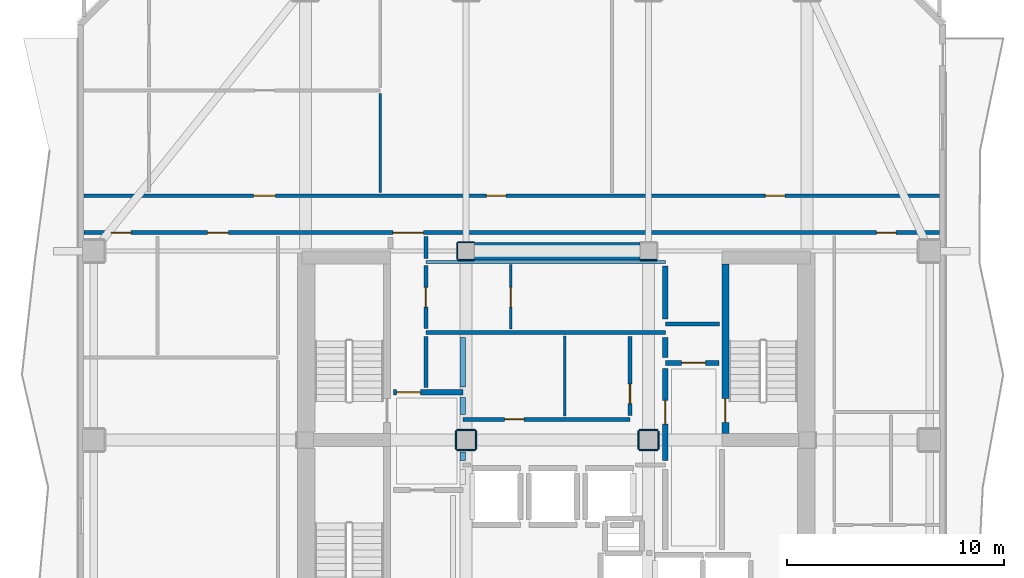
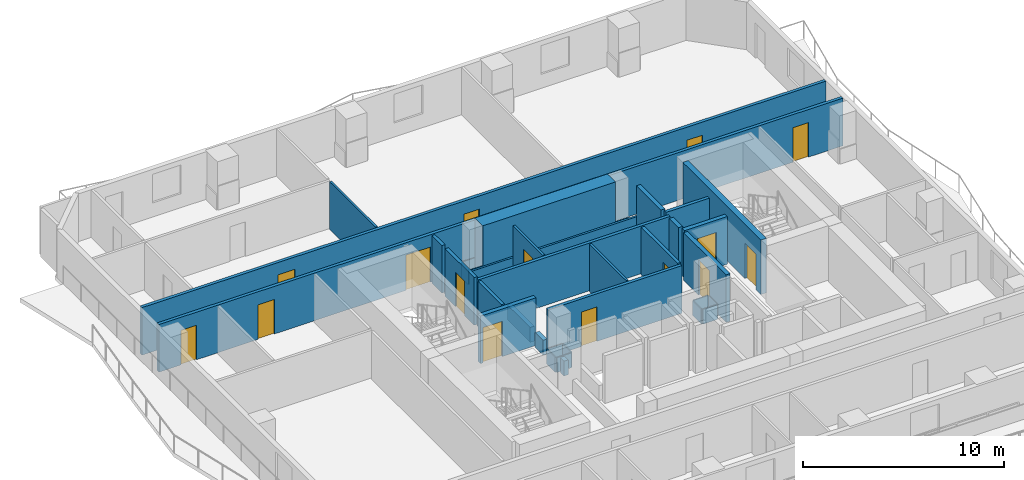
# One storey, part 4 of 10: 35 walls, 15 doors, 15 openings.
"""IFC4 building model written with IfcOpenShell, lengths in metres."""

from ifc_helpers import new_model, si_unit, direction, frame, frame_2d, origin, place, context, subcontext, project, spatial, rectangle, extrude, material, layer, layer_set, type_object, element, fill, save


model = new_model("IFC4")

# Units and contexts
model_context = context("Model", 3, precision=1e-05, world=origin(), true_north=direction((0.0, 1.0)))
body_context = subcontext(model_context, "Body", "Model", "MODEL_VIEW")
ifc_project = project(units=[si_unit("LENGTHUNIT", "METRE"), si_unit("AREAUNIT", "SQUARE_METRE"), si_unit("VOLUMEUNIT", "CUBIC_METRE"), si_unit("PLANEANGLEUNIT", "RADIAN"), si_unit("MASSUNIT", "GRAM", prefix="KILO")], contexts=[model_context])

# Site, building, storey
site_placement = place(None, origin())
site = spatial("IfcSite", under=ifc_project, at=site_placement, CompositionType="ELEMENT")
building_placement = place(site_placement, origin())
building = spatial("IfcBuilding", under=site, at=building_placement, Name="Solanera Arch Residences", CompositionType="ELEMENT")
storey_placement = place(building_placement, frame((0.0, 0.0, 186.840087890625)))
storey = spatial("IfcBuildingStorey", under=building, at=storey_placement, Name="L54", CompositionType="ELEMENT", Elevation=186.840087890625)

# Walls
ifc_material_1 = material(Name="Fire-Rated Gypsum Stud Partition", Category="gypsum")
ifc_layer_1 = layer(ifc_material_1, 0.06005859375)
ifc_layer_set_1 = layer_set([ifc_layer_1], Name="Fire-Rated Gypsum Stud Partition")
wall_type_1 = type_object("IfcWallType", Name="Column Acoustic Furring Wall 60", PredefinedType="PARTITIONING", material=ifc_layer_set_1)
for number, where, z_axis, x_axis, name in (
    (1, (20.425048828125, 38.992919921875, 0.0), (0.0, 0.0, 1.0), (1.0, 0.0, 0.0), "L54 Column Furring 3S"),
    (2, (20.425048828125, 39.806884765625, 0.0), (0.0, 0.0, 1.0), (1.0, 0.0, 0.0), "L54 Column Furring 3N"),
):
    element("IfcWall", number, at=place(storey_placement, frame(where, z_axis=z_axis, x_axis=x_axis)), inside=storey, type_object=wall_type_1, Name=name, PredefinedType="PARTITIONING", context=body_context, shape_type="SweptSolid", body=[
        extrude(rectangle(XDim=0.741943359375, YDim=0.06005859375, at=frame_2d((0.37109375, 0.0))), origin(), (0.0, 0.0, 1.0), 0.905029296875),
    ])
wall_1_placement = place(storey_placement, frame((20.39306640625, 39.02490234375, 0.0), z_axis=(0.0, 0.0, 1.0), x_axis=(0.0, 1.0, 0.0)))
element("IfcWall", 3, at=wall_1_placement, inside=storey, type_object=wall_type_1, Name="L54 Column Furring 3W", PredefinedType="PARTITIONING", context=body_context, shape_type="SweptSolid", body=[
    extrude(rectangle(XDim=0.75, YDim=0.06005859375, at=frame_2d((0.375, 0.0))), origin(), (0.0, 0.0, 1.0), 0.905029296875),
])
wall_2_placement = place(storey_placement, frame((28.8330078125, 38.992919921875, 0.0), z_axis=(0.0, 0.0, 1.0), x_axis=(1.0, 0.0, 0.0)))
element("IfcWall", 4, at=wall_2_placement, inside=storey, type_object=wall_type_1, Name="L54 Column Furring 4S", PredefinedType="PARTITIONING", context=body_context, shape_type="SweptSolid", body=[
    extrude(rectangle(XDim=0.741943359375, YDim=0.06005859375, at=frame_2d((0.37109375, 0.0))), origin(), (0.0, 0.0, 1.0), 0.905029296875),
])
for number, where, z_axis, x_axis, name in (
    (5, (20.375, 30.242919921875, 0.0), (0.0, 0.0, 1.0), (1.0, 0.0, 0.0), "L54 Column Furring 7S"),
    (6, (20.375, 31.156982421875, 0.0), (0.0, 0.0, 1.0), (1.0, 0.0, 0.0), "L54 Column Furring 7N"),
    (7, (20.343017578125, 30.27490234375, 0.0), (0.0, 0.0, 1.0), (0.0, 1.0, 0.0), "L54 Column Furring 7W"),
    (8, (21.257080078125, 30.27490234375, 0.0), (0.0, 0.0, 1.0), (0.0, 1.0, 0.0), "L54 Column Furring 7E"),
    (9, (28.77490234375, 30.242919921875, 0.0), (0.0, 0.0, 1.0), (1.0, 0.0, 0.0), "L54 Column Furring 8S"),
):
    element("IfcWall", number, at=place(storey_placement, frame(where, z_axis=z_axis, x_axis=x_axis)), inside=storey, type_object=wall_type_1, Name=name, PredefinedType="PARTITIONING", context=body_context, shape_type="SweptSolid", body=[
        extrude(rectangle(XDim=0.85009765625, YDim=0.06005859375, at=frame_2d((0.425048828125, 0.0))), origin(), (0.0, 0.0, 1.0), 0.905029296875),
    ])
wall_3_placement = place(storey_placement, frame((28.77490234375, 31.156982421875, 0.0), z_axis=(0.0, 0.0, 1.0), x_axis=(1.0, 0.0, 0.0)))
element("IfcWall", 10, at=wall_3_placement, inside=storey, type_object=wall_type_1, Name="L54 Column Furring 8N", PredefinedType="PARTITIONING", context=body_context, shape_type="SweptSolid", body=[
    extrude(rectangle(XDim=0.843017578125, YDim=0.06005859375, at=frame_2d((0.42138671875, 0.0))), origin(), (0.0, 0.0, 1.0), 0.905029296875),
])
wall_4_placement = place(storey_placement, frame((28.742919921875, 30.27490234375, 0.0), z_axis=(0.0, 0.0, 1.0), x_axis=(0.0, 1.0, 0.0)))
element("IfcWall", 11, at=wall_4_placement, inside=storey, type_object=wall_type_1, Name="L54 Column Furring 8W", PredefinedType="PARTITIONING", context=body_context, shape_type="SweptSolid", body=[
    extrude(rectangle(XDim=0.85009765625, YDim=0.06005859375, at=frame_2d((0.425048828125, 0.0))), origin(), (0.0, 0.0, 1.0), 0.905029296875),
])
wall_5_placement = place(storey_placement, frame((29.656982421875, 30.27490234375, 0.0), z_axis=(0.0, 0.0, 1.0), x_axis=(0.0, 1.0, 0.0)))
element("IfcWall", 12, at=wall_5_placement, inside=storey, type_object=wall_type_1, Name="L54 Column Furring 8E", PredefinedType="PARTITIONING", context=body_context, shape_type="SweptSolid", body=[
    extrude(rectangle(XDim=0.837158203125, YDim=0.06005859375, at=frame_2d((0.41845703125, 0.0))), origin(), (0.0, 0.0, 1.0), 0.905029296875),
])

# Wall, opening, door
ifc_material_2 = material(Name="Concrete C40/50 (f'c = 45 MPa)", Category="concrete")
ifc_layer_2 = layer(ifc_material_2, 0.320068359375)
ifc_layer_set_2 = layer_set([ifc_layer_2], Name="Concrete C40/50 (f'c = 45 MPa)")
wall_type_2 = type_object("IfcWallType", Name="Core Shear Wall CW-320", PredefinedType="SHEAR", material=ifc_layer_set_2)
wall_6_placement = place(storey_placement, frame((32.739990234375, 31.0, 0.0), z_axis=(0.0, 0.0, 1.0), x_axis=(0.0, 1.0, 0.0)))
wall_6 = element("IfcWall", 13, at=wall_6_placement, inside=storey, type_object=wall_type_2, Name="L54 Stair ST-T2 West Shear Wall", PredefinedType="SHEAR", context=body_context, shape_type="SweptSolid", body=[
    extrude(rectangle(XDim=7.800048828125, YDim=0.320068359375, at=frame_2d((3.89990234375, 0.0))), origin(), (0.0, 0.0, 1.0), 3.31982421875),
])
opening_1_placement = place(wall_6_placement, frame((0.510009765625, 0.0, 0.0)))
opening_1 = element("IfcOpeningElement", 14, at=opening_1_placement, cuts=wall_6, Name="Opening DF-01", PredefinedType="OPENING", context=body_context, shape_type="SweptSolid", body=[
    extrude(rectangle(XDim=1.10009765625, YDim=2.14990234375, at=frame_2d((0.550048828125, 1.074951171875))), frame((0.0, 0.169921875, 0.0), z_axis=(0.0, -1.0, 0.0), x_axis=(1.0, 0.0, 0.0)), (0.0, 0.0, 1.0), 0.3401),
])
ifc_material_3 = material(Name="Fire-Rated Architectural Hardwood", Category="wood")
door_type_1 = type_object("IfcDoorType", Name="Stair Exit Fire Door DF-01", OperationType="NOTDEFINED", PredefinedType="DOOR", material=ifc_material_3)
door_1_placement = place(opening_1_placement, origin())
door_1 = element("IfcDoor", 15, at=door_1_placement, inside=storey, type_object=door_type_1, Name="DR-L54-STAIR-ST-T2", OperationType="SINGLE_SWING_RIGHT", OverallHeight=2.14990234375, OverallWidth=1.10009765625, PredefinedType="DOOR", context=body_context, shape_type="SweptSolid", body=[
    extrude(rectangle(XDim=1.10009765625, YDim=2.14990234375, at=frame_2d((0.550048828125, 1.074951171875))), frame((0.0, 0.02490234375, 0.0), z_axis=(0.0, -1.0, 0.0), x_axis=(1.0, 0.0, 0.0)), (0.0, 0.0, 1.0), 0.050048828125),
])
fill(opening_1, door_1)

# Wall
ifc_material_4 = material(Name="Concrete C40/50 (f'c = 45 MPa)", Category="concrete")
ifc_layer_3 = layer(ifc_material_4, 0.800048828125)
ifc_layer_set_3 = layer_set([ifc_layer_3], Name="Concrete C40/50 (f'c = 45 MPa)")
wall_type_3 = type_object("IfcWallType", Name="Core Shear Wall CW-800", PredefinedType="SHEAR", material=ifc_layer_set_3)
wall_7_placement = place(storey_placement, frame((21.179931640625, 39.39990234375, 0.0), z_axis=(0.0, 0.0, 1.0), x_axis=(1.0, 0.0, 0.0)))
element("IfcWall", 16, at=wall_7_placement, inside=storey, type_object=wall_type_3, Name="L54 Central North Core Shear Wall", PredefinedType="SHEAR", context=body_context, shape_type="SweptSolid", body=[
    extrude(rectangle(XDim=7.64013671875, YDim=0.800048828125, at=frame_2d((3.820068359375, 0.0))), origin(), (0.0, 0.0, 1.0), 3.31982421875),
])

# Wall, opening, door
ifc_material_5 = material(Name="Autoclaved Aerated Concrete Blockwork", Category="masonry")
ifc_layer_4 = layer(ifc_material_5, 0.179931640625)
ifc_layer_set_4 = layer_set([ifc_layer_4], Name="Autoclaved Aerated Concrete Blockwork")
wall_type_4 = type_object("IfcWallType", Name="Corridor Fire Partition 180", PredefinedType="PARTITIONING", material=ifc_layer_set_4)
wall_8_placement = place(storey_placement, frame((20.64990234375, 31.64990234375, 0.0), z_axis=(0.0, 0.0, 1.0), x_axis=(1.0, 0.0, 0.0)))
wall_8 = element("IfcWall", 17, at=wall_8_placement, inside=storey, type_object=wall_type_4, Name="L54 Interior Partition H8", PredefinedType="PARTITIONING", context=body_context, shape_type="SweptSolid", body=[
    extrude(rectangle(XDim=7.7001953125, YDim=0.179931640625, at=frame_2d((3.85009765625, 0.0))), origin(), (0.0, 0.0, 1.0), 2.89990234375),
])
opening_2_placement = place(wall_8_placement, frame((1.924072265625, 0.0, 0.0)))
opening_2 = element("IfcOpeningElement", 18, at=opening_2_placement, cuts=wall_8, Name="Opening DI-02", PredefinedType="OPENING", context=body_context, shape_type="SweptSolid", body=[
    extrude(rectangle(XDim=0.89990234375, YDim=2.10009765625, at=frame_2d((0.449951171875, 1.050048828125))), frame((0.0, 0.10009765625, 0.0), z_axis=(0.0, -1.0, 0.0), x_axis=(1.0, 0.0, 0.0)), (0.0, 0.0, 1.0), 0.1999),
])
ifc_material_6 = material(Name="Fire-Rated Architectural Hardwood", Category="wood")
door_type_2 = type_object("IfcDoorType", Name="Suite Room Swing Door DI-02", OperationType="NOTDEFINED", PredefinedType="DOOR", material=ifc_material_6)
door_2_placement = place(opening_2_placement, origin())
door_2 = element("IfcDoor", 19, at=door_2_placement, inside=storey, type_object=door_type_2, Name="DR-L54-IN-012", OperationType="SINGLE_SWING_RIGHT", OverallHeight=2.10009765625, OverallWidth=0.89990234375, PredefinedType="DOOR", context=body_context, shape_type="SweptSolid", body=[
    extrude(rectangle(XDim=0.89990234375, YDim=2.10009765625, at=frame_2d((0.449951171875, 1.050048828125))), frame((0.0, 0.02490234375, 0.0), z_axis=(0.0, -1.0, 0.0), x_axis=(1.0, 0.0, 0.0)), (0.0, 0.0, 1.0), 0.050048828125),
])
fill(opening_2, door_2)

# Walls
wall_9_placement = place(storey_placement, frame((18.949951171875, 35.64990234375, 0.0), z_axis=(0.0, 0.0, 1.0), x_axis=(1.0, 0.0, 0.0)))
element("IfcWall", 20, at=wall_9_placement, inside=storey, type_object=wall_type_4, Name="L54 Interior Partition H9", PredefinedType="PARTITIONING", context=body_context, shape_type="SweptSolid", body=[
    extrude(rectangle(XDim=11.025146484375, YDim=0.179931640625, at=frame_2d((5.5126953125, 0.0))), origin(), (0.0, 0.0, 1.0), 2.89990234375),
])
wall_10_placement = place(storey_placement, frame((29.97509765625, 36.050048828125, 0.0), z_axis=(0.0, 0.0, 1.0), x_axis=(1.0, 0.0, 0.0)))
element("IfcWall", 21, at=wall_10_placement, inside=storey, type_object=wall_type_4, Name="L54 Interior Partition H10", PredefinedType="PARTITIONING", context=body_context, shape_type="SweptSolid", body=[
    extrude(rectangle(XDim=2.5048828125, YDim=0.179931640625, at=frame_2d((1.25244140625, 0.0))), origin(), (0.0, 0.0, 1.0), 2.89990234375),
])

# Wall, openings, doors
wall_11_placement = place(storey_placement, frame((3.20703125, 40.25, 0.0), z_axis=(0.0, 0.0, 1.0), x_axis=(1.0, 0.0, 0.0)))
wall_11 = element("IfcWall", 22, at=wall_11_placement, inside=storey, type_object=wall_type_4, Name="L54 Interior Partition H11", PredefinedType="PARTITIONING", context=body_context, shape_type="SweptSolid", body=[
    extrude(rectangle(XDim=39.385986328125, YDim=0.179931640625, at=frame_2d((19.69287109375, 0.0))), origin(), (0.0, 0.0, 1.0), 2.89990234375),
])
opening_3_placement = place(wall_11_placement, frame((14.22802734375, 0.0, 0.0)))
opening_3 = element("IfcOpeningElement", 23, at=opening_3_placement, cuts=wall_11, Name="Opening DF-03", PredefinedType="OPENING", context=body_context, shape_type="SweptSolid", body=[
    extrude(rectangle(XDim=1.39990234375, YDim=2.14990234375, at=frame_2d((0.699951171875, 1.074951171875))), frame((0.0, 0.10009765625, 0.0), z_axis=(0.0, -1.0, 0.0), x_axis=(1.0, 0.0, 0.0)), (0.0, 0.0, 1.0), 0.1999),
])
opening_4_placement = place(wall_11_placement, frame((1.26708984375, 0.0, 0.0)))
opening_4 = element("IfcOpeningElement", 24, at=opening_4_placement, cuts=wall_11, Name="Opening DI-02", PredefinedType="OPENING", context=body_context, shape_type="SweptSolid", body=[
    extrude(rectangle(XDim=0.89990234375, YDim=2.10009765625, at=frame_2d((0.449951171875, 1.050048828125))), frame((0.0, 0.10009765625, 0.0), z_axis=(0.0, -1.0, 0.0), x_axis=(1.0, 0.0, 0.0)), (0.0, 0.0, 1.0), 0.1999),
])
opening_5_placement = place(wall_11_placement, frame((5.694091796875, 0.0, 0.0)))
opening_5 = element("IfcOpeningElement", 25, at=opening_5_placement, cuts=wall_11, Name="Opening DI-04", PredefinedType="OPENING", context=body_context, shape_type="SweptSolid", body=[
    extrude(rectangle(XDim=0.949951171875, YDim=2.10009765625, at=frame_2d((0.47509765625, 1.050048828125))), frame((0.0, 0.10009765625, 0.0), z_axis=(0.0, -1.0, 0.0), x_axis=(1.0, 0.0, 0.0)), (0.0, 0.0, 1.0), 0.1999),
])
opening_6_placement = place(wall_11_placement, frame((36.493896484375, 0.0, 0.0)))
opening_6 = element("IfcOpeningElement", 26, at=opening_6_placement, cuts=wall_11, Name="Opening DI-02", PredefinedType="OPENING", context=body_context, shape_type="SweptSolid", body=[
    extrude(rectangle(XDim=0.89990234375, YDim=2.10009765625, at=frame_2d((0.449951171875, 1.050048828125))), frame((0.0, 0.10009765625, 0.0), z_axis=(0.0, -1.0, 0.0), x_axis=(1.0, 0.0, 0.0)), (0.0, 0.0, 1.0), 0.1999),
])
ifc_material_7 = material(Name="Fire-Rated Architectural Hardwood", Category="wood")
door_type_3 = type_object("IfcDoorType", Name="Accessible Restroom Door DI-04", OperationType="NOTDEFINED", PredefinedType="DOOR", material=ifc_material_7)
door_3_placement = place(opening_5_placement, origin())
door_3 = element("IfcDoor", 27, at=door_3_placement, inside=storey, type_object=door_type_3, Name="DR-L54-IN-029", OperationType="SINGLE_SWING_LEFT", OverallHeight=2.10009765625, OverallWidth=0.949951171875, PredefinedType="DOOR", context=body_context, shape_type="SweptSolid", body=[
    extrude(rectangle(XDim=0.949951171875, YDim=2.10009765625, at=frame_2d((0.47509765625, 1.050048828125))), frame((0.0, 0.02490234375, 0.0), z_axis=(0.0, -1.0, 0.0), x_axis=(1.0, 0.0, 0.0)), (0.0, 0.0, 1.0), 0.050048828125),
])
fill(opening_5, door_3)
ifc_material_8 = material(Name="Fire-Rated Architectural Hardwood", Category="wood")
door_type_4 = type_object("IfcDoorType", Name="Corridor Smoke Door DF-03", OperationType="NOTDEFINED", PredefinedType="DOOR", material=ifc_material_8)
door_4_placement = place(opening_3_placement, origin())
door_4 = element("IfcDoor", 28, at=door_4_placement, inside=storey, type_object=door_type_4, Name="DR-L54-IN-009", OperationType="SINGLE_SWING_LEFT", OverallHeight=2.14990234375, OverallWidth=1.39990234375, PredefinedType="DOOR", context=body_context, shape_type="SweptSolid", body=[
    extrude(rectangle(XDim=1.39990234375, YDim=2.14990234375, at=frame_2d((0.699951171875, 1.074951171875))), frame((0.0, 0.02490234375, 0.0), z_axis=(0.0, -1.0, 0.0), x_axis=(1.0, 0.0, 0.0)), (0.0, 0.0, 1.0), 0.050048828125),
])
fill(opening_3, door_4)
door_5_placement = place(opening_4_placement, origin())
door_5 = element("IfcDoor", 29, at=door_5_placement, inside=storey, type_object=door_type_2, Name="DR-L54-IN-028", OperationType="SINGLE_SWING_RIGHT", OverallHeight=2.10009765625, OverallWidth=0.89990234375, PredefinedType="DOOR", context=body_context, shape_type="SweptSolid", body=[
    extrude(rectangle(XDim=0.89990234375, YDim=2.10009765625, at=frame_2d((0.449951171875, 1.050048828125))), frame((0.0, 0.02490234375, 0.0), z_axis=(0.0, -1.0, 0.0), x_axis=(1.0, 0.0, 0.0)), (0.0, 0.0, 1.0), 0.050048828125),
])
fill(opening_4, door_5)
door_6_placement = place(opening_6_placement, origin())
door_6 = element("IfcDoor", 30, at=door_6_placement, inside=storey, type_object=door_type_2, Name="DR-L54-IN-033", OperationType="SINGLE_SWING_LEFT", OverallHeight=2.10009765625, OverallWidth=0.89990234375, PredefinedType="DOOR", context=body_context, shape_type="SweptSolid", body=[
    extrude(rectangle(XDim=0.89990234375, YDim=2.10009765625, at=frame_2d((0.449951171875, 1.050048828125))), frame((0.0, 0.02490234375, 0.0), z_axis=(0.0, -1.0, 0.0), x_axis=(1.0, 0.0, 0.0)), (0.0, 0.0, 1.0), 0.050048828125),
])
fill(opening_6, door_6)

wall_12_placement = place(storey_placement, frame((3.20703125, 41.949951171875, 0.0), z_axis=(0.0, 0.0, 1.0), x_axis=(1.0, 0.0, 0.0)))
wall_12 = element("IfcWall", 31, at=wall_12_placement, inside=storey, type_object=wall_type_4, Name="L54 Interior Partition H12", PredefinedType="PARTITIONING", context=body_context, shape_type="SweptSolid", body=[
    extrude(rectangle(XDim=39.385986328125, YDim=0.179931640625, at=frame_2d((19.69287109375, 0.0))), origin(), (0.0, 0.0, 1.0), 2.89990234375),
])
opening_7_placement = place(wall_12_placement, frame((7.81689453125, 0.0, 0.0)))
opening_7 = element("IfcOpeningElement", 32, at=opening_7_placement, cuts=wall_12, Name="Opening DI-01", PredefinedType="OPENING", context=body_context, shape_type="SweptSolid", body=[
    extrude(rectangle(XDim=1.0, YDim=2.14990234375, at=frame_2d((0.5, 1.074951171875))), frame((0.0, 0.10009765625, 0.0), z_axis=(0.0, -1.0, 0.0), x_axis=(1.0, 0.0, 0.0)), (0.0, 0.0, 1.0), 0.1999),
])
opening_8_placement = place(wall_12_placement, frame((18.527099609375, 0.0, 0.0)))
opening_8 = element("IfcOpeningElement", 33, at=opening_8_placement, cuts=wall_12, Name="Opening DI-02", PredefinedType="OPENING", context=body_context, shape_type="SweptSolid", body=[
    extrude(rectangle(XDim=0.89990234375, YDim=2.10009765625, at=frame_2d((0.449951171875, 1.050048828125))), frame((0.0, 0.10009765625, 0.0), z_axis=(0.0, -1.0, 0.0), x_axis=(1.0, 0.0, 0.0)), (0.0, 0.0, 1.0), 0.1999),
])
opening_9_placement = place(wall_12_placement, frame((31.37890625, 0.0, 0.0)))
opening_9 = element("IfcOpeningElement", 34, at=opening_9_placement, cuts=wall_12, Name="Opening DI-02", PredefinedType="OPENING", context=body_context, shape_type="SweptSolid", body=[
    extrude(rectangle(XDim=0.89990234375, YDim=2.10009765625, at=frame_2d((0.449951171875, 1.050048828125))), frame((0.0, 0.10009765625, 0.0), z_axis=(0.0, -1.0, 0.0), x_axis=(1.0, 0.0, 0.0)), (0.0, 0.0, 1.0), 0.1999),
])
door_7_placement = place(opening_8_placement, origin())
door_7 = element("IfcDoor", 35, at=door_7_placement, inside=storey, type_object=door_type_2, Name="DR-L54-IN-025", OperationType="SINGLE_SWING_LEFT", OverallHeight=2.10009765625, OverallWidth=0.89990234375, PredefinedType="DOOR", context=body_context, shape_type="SweptSolid", body=[
    extrude(rectangle(XDim=0.89990234375, YDim=2.10009765625, at=frame_2d((0.449951171875, 1.050048828125))), frame((0.0, 0.02490234375, 0.0), z_axis=(0.0, -1.0, 0.0), x_axis=(1.0, 0.0, 0.0)), (0.0, 0.0, 1.0), 0.050048828125),
])
fill(opening_8, door_7)
door_8_placement = place(opening_9_placement, origin())
door_8 = element("IfcDoor", 36, at=door_8_placement, inside=storey, type_object=door_type_2, Name="DR-L54-IN-026", OperationType="SINGLE_SWING_RIGHT", OverallHeight=2.10009765625, OverallWidth=0.89990234375, PredefinedType="DOOR", context=body_context, shape_type="SweptSolid", body=[
    extrude(rectangle(XDim=0.89990234375, YDim=2.10009765625, at=frame_2d((0.449951171875, 1.050048828125))), frame((0.0, 0.02490234375, 0.0), z_axis=(0.0, -1.0, 0.0), x_axis=(1.0, 0.0, 0.0)), (0.0, 0.0, 1.0), 0.050048828125),
])
fill(opening_9, door_8)
ifc_material_9 = material(Name="Fire-Rated Architectural Hardwood", Category="wood")
door_type_5 = type_object("IfcDoorType", Name="Unit Entrance Fire Door DI-01", OperationType="NOTDEFINED", PredefinedType="DOOR", material=ifc_material_9)
door_9_placement = place(opening_7_placement, origin())
door_9 = element("IfcDoor", 37, at=door_9_placement, inside=storey, type_object=door_type_5, Name="DR-L54-IN-021", OperationType="SINGLE_SWING_LEFT", OverallHeight=2.14990234375, OverallWidth=1.0, PredefinedType="DOOR", context=body_context, shape_type="SweptSolid", body=[
    extrude(rectangle(XDim=1.0, YDim=2.14990234375, at=frame_2d((0.5, 1.074951171875))), frame((0.0, 0.02490234375, 0.0), z_axis=(0.0, -1.0, 0.0), x_axis=(1.0, 0.0, 0.0)), (0.0, 0.0, 1.0), 0.050048828125),
])
fill(opening_7, door_9)

# Wall
wall_13_placement = place(storey_placement, frame((18.949951171875, 33.117919921875, 0.0), z_axis=(0.0, 0.0, 1.0), x_axis=(0.0, 1.0, 0.0)))
element("IfcWall", 38, at=wall_13_placement, inside=storey, type_object=wall_type_4, Name="L54 Interior Partition V7 1", PredefinedType="PARTITIONING", context=body_context, shape_type="SweptSolid", body=[
    extrude(rectangle(XDim=2.343994140625, YDim=0.179931640625, at=frame_2d((1.171875, 0.0))), origin(), (0.0, 0.0, 1.0), 2.89990234375),
])

# Wall, opening, door
wall_14_placement = place(storey_placement, frame((18.949951171875, 35.837890625, 0.0), z_axis=(0.0, 0.0, 1.0), x_axis=(0.0, 1.0, 0.0)))
wall_14 = element("IfcWall", 39, at=wall_14_placement, inside=storey, type_object=wall_type_4, Name="L54 Interior Partition V7 2", PredefinedType="PARTITIONING", context=body_context, shape_type="SweptSolid", body=[
    extrude(rectangle(XDim=2.904052734375, YDim=0.179931640625, at=frame_2d((1.4521484375, 0.0))), origin(), (0.0, 0.0, 1.0), 2.89990234375),
])
opening_10_placement = place(wall_14_placement, frame((0.987060546875, 0.0, 0.0)))
opening_10 = element("IfcOpeningElement", 40, at=opening_10_placement, cuts=wall_14, Name="Opening DI-02", PredefinedType="OPENING", context=body_context, shape_type="SweptSolid", body=[
    extrude(rectangle(XDim=0.89990234375, YDim=2.10009765625, at=frame_2d((0.449951171875, 1.050048828125))), frame((0.0, 0.10009765625, 0.0), z_axis=(0.0, -1.0, 0.0), x_axis=(1.0, 0.0, 0.0)), (0.0, 0.0, 1.0), 0.1999),
])
door_10_placement = place(opening_10_placement, origin())
door_10 = element("IfcDoor", 41, at=door_10_placement, inside=storey, type_object=door_type_2, Name="DR-L54-IN-010", OperationType="SINGLE_SWING_RIGHT", OverallHeight=2.10009765625, OverallWidth=0.89990234375, PredefinedType="DOOR", context=body_context, shape_type="SweptSolid", body=[
    extrude(rectangle(XDim=0.89990234375, YDim=2.10009765625, at=frame_2d((0.449951171875, 1.050048828125))), frame((0.0, 0.02490234375, 0.0), z_axis=(0.0, -1.0, 0.0), x_axis=(1.0, 0.0, 0.0)), (0.0, 0.0, 1.0), 0.050048828125),
])
fill(opening_10, door_10)

# Wall
wall_15_placement = place(storey_placement, frame((18.949951171875, 39.05810546875, 0.0), z_axis=(0.0, 0.0, 1.0), x_axis=(0.0, 1.0, 0.0)))
element("IfcWall", 42, at=wall_15_placement, inside=storey, type_object=wall_type_4, Name="L54 Interior Partition V7 3", PredefinedType="PARTITIONING", context=body_context, shape_type="SweptSolid", body=[
    extrude(rectangle(XDim=1.00390625, YDim=0.179931640625, at=frame_2d((0.501953125, 0.0))), origin(), (0.0, 0.0, 1.0), 2.89990234375),
])

# Wall, opening, door
wall_16_placement = place(storey_placement, frame((28.35009765625, 31.837890625, 0.0), z_axis=(0.0, 0.0, 1.0), x_axis=(0.0, 1.0, 0.0)))
wall_16 = element("IfcWall", 43, at=wall_16_placement, inside=storey, type_object=wall_type_4, Name="L54 Interior Partition V8", PredefinedType="PARTITIONING", context=body_context, shape_type="SweptSolid", body=[
    extrude(rectangle(XDim=3.6240234375, YDim=0.179931640625, at=frame_2d((1.81201171875, 0.0))), origin(), (0.0, 0.0, 1.0), 2.89990234375),
])
opening_11_placement = place(wall_16_placement, frame((0.541015625, 0.0, 0.0)))
opening_11 = element("IfcOpeningElement", 44, at=opening_11_placement, cuts=wall_16, Name="Opening DI-02", PredefinedType="OPENING", context=body_context, shape_type="SweptSolid", body=[
    extrude(rectangle(XDim=0.89990234375, YDim=2.10009765625, at=frame_2d((0.449951171875, 1.050048828125))), frame((0.0, 0.10009765625, 0.0), z_axis=(0.0, -1.0, 0.0), x_axis=(1.0, 0.0, 0.0)), (0.0, 0.0, 1.0), 0.1999),
])
door_11_placement = place(opening_11_placement, origin())
door_11 = element("IfcDoor", 45, at=door_11_placement, inside=storey, type_object=door_type_2, Name="DR-L54-IN-013", OperationType="SINGLE_SWING_LEFT", OverallHeight=2.10009765625, OverallWidth=0.89990234375, PredefinedType="DOOR", context=body_context, shape_type="SweptSolid", body=[
    extrude(rectangle(XDim=0.89990234375, YDim=2.10009765625, at=frame_2d((0.449951171875, 1.050048828125))), frame((0.0, 0.02490234375, 0.0), z_axis=(0.0, -1.0, 0.0), x_axis=(1.0, 0.0, 0.0)), (0.0, 0.0, 1.0), 0.050048828125),
])
fill(opening_11, door_11)

ifc_material_10 = material(Name="Autoclaved Aerated Concrete Blockwork", Category="masonry")
ifc_layer_5 = layer(ifc_material_10, 0.239990234375)
ifc_layer_set_5 = layer_set([ifc_layer_5], Name="Autoclaved Aerated Concrete Blockwork")
wall_type_5 = type_object("IfcWallType", Name="Shaft Wall Fire-Rated 240", PredefinedType="PARTITIONING", material=ifc_layer_set_5)
wall_17_placement = place(storey_placement, frame((17.449951171875, 32.89990234375, 0.0), z_axis=(0.0, 0.0, 1.0), x_axis=(1.0, 0.0, 0.0)))
wall_17 = element("IfcWall", 46, at=wall_17_placement, inside=storey, type_object=wall_type_5, Name="L54 Interior Partition H4", PredefinedType="PARTITIONING", context=body_context, shape_type="SweptSolid", body=[
    extrude(rectangle(XDim=3.199951171875, YDim=0.239990234375, at=frame_2d((1.60009765625, 0.0))), origin(), (0.0, 0.0, 1.0), 2.89990234375),
])
opening_12_placement = place(wall_17_placement, frame((0.158935546875, 0.0, 0.0)))
opening_12 = element("IfcOpeningElement", 47, at=opening_12_placement, cuts=wall_17, Name="Opening DF-02", PredefinedType="OPENING", context=body_context, shape_type="SweptSolid", body=[
    extrude(rectangle(XDim=1.10009765625, YDim=2.14990234375, at=frame_2d((0.550048828125, 1.074951171875))), frame((0.0, 0.1298828125, 0.0), z_axis=(0.0, -1.0, 0.0), x_axis=(1.0, 0.0, 0.0)), (0.0, 0.0, 1.0), 0.26),
])
ifc_material_11 = material(Name="Fire-Rated Architectural Hardwood", Category="wood")
door_type_6 = type_object("IfcDoorType", Name="Firefighting Lobby Fire Door DF-02", OperationType="NOTDEFINED", PredefinedType="DOOR", material=ifc_material_11)
door_12_placement = place(opening_12_placement, origin())
door_12 = element("IfcDoor", 48, at=door_12_placement, inside=storey, type_object=door_type_6, Name="DR-L54-IN-005", OperationType="SINGLE_SWING_LEFT", OverallHeight=2.14990234375, OverallWidth=1.10009765625, PredefinedType="DOOR", context=body_context, shape_type="SweptSolid", body=[
    extrude(rectangle(XDim=1.10009765625, YDim=2.14990234375, at=frame_2d((0.550048828125, 1.074951171875))), frame((0.0, 0.02490234375, 0.0), z_axis=(0.0, -1.0, 0.0), x_axis=(1.0, 0.0, 0.0)), (0.0, 0.0, 1.0), 0.050048828125),
])
fill(opening_12, door_12)

wall_18_placement = place(storey_placement, frame((29.97509765625, 34.25, 0.0), z_axis=(0.0, 0.0, 1.0), x_axis=(1.0, 0.0, 0.0)))
wall_18 = element("IfcWall", 49, at=wall_18_placement, inside=storey, type_object=wall_type_5, Name="L54 Interior Partition H5", PredefinedType="PARTITIONING", context=body_context, shape_type="SweptSolid", body=[
    extrude(rectangle(XDim=2.474853515625, YDim=0.239990234375, at=frame_2d((1.2373046875, 0.0))), origin(), (0.0, 0.0, 1.0), 2.89990234375),
])
opening_13_placement = place(wall_18_placement, frame((0.751953125, 0.0, 0.0)))
opening_13 = element("IfcOpeningElement", 50, at=opening_13_placement, cuts=wall_18, Name="Opening DF-02", PredefinedType="OPENING", context=body_context, shape_type="SweptSolid", body=[
    extrude(rectangle(XDim=1.10009765625, YDim=2.14990234375, at=frame_2d((0.550048828125, 1.074951171875))), frame((0.0, 0.1298828125, 0.0), z_axis=(0.0, -1.0, 0.0), x_axis=(1.0, 0.0, 0.0)), (0.0, 0.0, 1.0), 0.26),
])
door_13_placement = place(opening_13_placement, origin())
door_13 = element("IfcDoor", 51, at=door_13_placement, inside=storey, type_object=door_type_6, Name="DR-L54-IN-007", OperationType="SINGLE_SWING_LEFT", OverallHeight=2.14990234375, OverallWidth=1.10009765625, PredefinedType="DOOR", context=body_context, shape_type="SweptSolid", body=[
    extrude(rectangle(XDim=1.10009765625, YDim=2.14990234375, at=frame_2d((0.550048828125, 1.074951171875))), frame((0.0, 0.02490234375, 0.0), z_axis=(0.0, -1.0, 0.0), x_axis=(1.0, 0.0, 0.0)), (0.0, 0.0, 1.0), 0.050048828125),
])
fill(opening_13, door_13)

# Walls
wall_19_placement = place(storey_placement, frame((20.64990234375, 29.76806640625, 0.0), z_axis=(0.0, 0.0, 1.0), x_axis=(0.0, 1.0, 0.0)))
element("IfcWall", 52, at=wall_19_placement, inside=storey, type_object=wall_type_5, Name="L54 Interior Partition V3 2", PredefinedType="PARTITIONING", context=body_context, shape_type="SweptSolid", body=[
    extrude(rectangle(XDim=0.375, YDim=0.239990234375, at=frame_2d((0.1875, 0.0))), origin(), (0.0, 0.0, 1.0), 0.905029296875),
])
wall_20_placement = place(storey_placement, frame((20.64990234375, 31.867919921875, 0.0), z_axis=(0.0, 0.0, 1.0), x_axis=(0.0, 1.0, 0.0)))
element("IfcWall", 53, at=wall_20_placement, inside=storey, type_object=wall_type_5, Name="L54 Interior Partition V3 3", PredefinedType="PARTITIONING", context=body_context, shape_type="SweptSolid", body=[
    extrude(rectangle(XDim=0.7841796875, YDim=0.239990234375, at=frame_2d((0.39208984375, 0.0))), origin(), (0.0, 0.0, 1.0), 0.905029296875),
])
wall_21_placement = place(storey_placement, frame((20.64990234375, 33.14794921875, 0.0), z_axis=(0.0, 0.0, 1.0), x_axis=(0.0, 1.0, 0.0)))
element("IfcWall", 54, at=wall_21_placement, inside=storey, type_object=wall_type_5, Name="L54 Interior Partition V3 4", PredefinedType="PARTITIONING", context=body_context, shape_type="SweptSolid", body=[
    extrude(rectangle(XDim=2.283935546875, YDim=0.239990234375, at=frame_2d((1.14208984375, 0.0))), origin(), (0.0, 0.0, 1.0), 0.905029296875),
])

# Wall, opening, door
wall_22_placement = place(storey_placement, frame((29.97509765625, 29.76806640625, 0.0), z_axis=(0.0, 0.0, 1.0), x_axis=(0.0, 1.0, 0.0)))
wall_22 = element("IfcWall", 55, at=wall_22_placement, inside=storey, type_object=wall_type_5, Name="L54 Interior Partition V4 2", PredefinedType="PARTITIONING", context=body_context, shape_type="SweptSolid", body=[
    extrude(rectangle(XDim=4.23388671875, YDim=0.239990234375, at=frame_2d((2.116943359375, 0.0))), origin(), (0.0, 0.0, 1.0), 2.89990234375),
])
opening_14_placement = place(wall_22_placement, frame((1.662109375, 0.0, 0.0)))
opening_14 = element("IfcOpeningElement", 56, at=opening_14_placement, cuts=wall_22, Name="Opening DF-02", PredefinedType="OPENING", context=body_context, shape_type="SweptSolid", body=[
    extrude(rectangle(XDim=1.10009765625, YDim=2.14990234375, at=frame_2d((0.550048828125, 1.074951171875))), frame((0.0, 0.1298828125, 0.0), z_axis=(0.0, -1.0, 0.0), x_axis=(1.0, 0.0, 0.0)), (0.0, 0.0, 1.0), 0.26),
])
door_14_placement = place(opening_14_placement, origin())
door_14 = element("IfcDoor", 57, at=door_14_placement, inside=storey, type_object=door_type_6, Name="DR-L54-IN-006", OperationType="SINGLE_SWING_RIGHT", OverallHeight=2.14990234375, OverallWidth=1.10009765625, PredefinedType="DOOR", context=body_context, shape_type="SweptSolid", body=[
    extrude(rectangle(XDim=1.10009765625, YDim=2.14990234375, at=frame_2d((0.550048828125, 1.074951171875))), frame((0.0, 0.02490234375, 0.0), z_axis=(0.0, -1.0, 0.0), x_axis=(1.0, 0.0, 0.0)), (0.0, 0.0, 1.0), 0.050048828125),
])
fill(opening_14, door_14)

# Walls
wall_23_placement = place(storey_placement, frame((29.97509765625, 34.498046875, 0.0), z_axis=(0.0, 0.0, 1.0), x_axis=(0.0, 1.0, 0.0)))
element("IfcWall", 58, at=wall_23_placement, inside=storey, type_object=wall_type_5, Name="L54 Interior Partition V4 3", PredefinedType="PARTITIONING", context=body_context, shape_type="SweptSolid", body=[
    extrude(rectangle(XDim=0.933837890625, YDim=0.239990234375, at=frame_2d((0.466796875, 0.0))), origin(), (0.0, 0.0, 1.0), 2.89990234375),
])
wall_24_placement = place(storey_placement, frame((29.97509765625, 36.26806640625, 0.0), z_axis=(0.0, 0.0, 1.0), x_axis=(0.0, 1.0, 0.0)))
element("IfcWall", 59, at=wall_24_placement, inside=storey, type_object=wall_type_5, Name="L54 Interior Partition V4 4", PredefinedType="PARTITIONING", context=body_context, shape_type="SweptSolid", body=[
    extrude(rectangle(XDim=2.44384765625, YDim=0.239990234375, at=frame_2d((1.221923828125, 0.0))), origin(), (0.0, 0.0, 1.0), 2.89990234375),
])
ifc_material_12 = material(Name="Fire-Rated Gypsum Stud Partition", Category="gypsum")
ifc_layer_6 = layer(ifc_material_12, 0.1201171875)
ifc_layer_set_6 = layer_set([ifc_layer_6], Name="Fire-Rated Gypsum Stud Partition")
wall_type_6 = type_object("IfcWallType", Name="Unit Drywall Partition 120", PredefinedType="PARTITIONING", material=ifc_layer_set_6)
wall_25_placement = place(storey_placement, frame((18.949951171875, 38.89990234375, 0.0), z_axis=(0.0, 0.0, 1.0), x_axis=(1.0, 0.0, 0.0)))
element("IfcWall", 60, at=wall_25_placement, inside=storey, type_object=wall_type_6, Name="L54 Interior Partition H19", PredefinedType="PARTITIONING", context=body_context, shape_type="SweptSolid", body=[
    extrude(rectangle(XDim=11.025146484375, YDim=0.1201171875, at=frame_2d((5.5126953125, 0.0))), origin(), (0.0, 0.0, 1.0), 0.905029296875),
])
wall_26_placement = place(storey_placement, frame((16.847900390625, 42.10791015625, 0.0), z_axis=(0.0, 0.0, 1.0), x_axis=(0.0, 1.0, 0.0)))
element("IfcWall", 61, at=wall_26_placement, inside=storey, type_object=wall_type_6, Name="L54 Interior Partition V18 1", PredefinedType="PARTITIONING", context=body_context, shape_type="SweptSolid", body=[
    extrude(rectangle(XDim=4.55419921875, YDim=0.1201171875, at=frame_2d((2.277099609375, 0.0))), origin(), (0.0, 0.0, 1.0), 2.89990234375),
])

# Wall, opening, door
wall_27_placement = place(storey_placement, frame((22.85009765625, 35.80810546875, 0.0), z_axis=(0.0, 0.0, 1.0), x_axis=(0.0, 1.0, 0.0)))
wall_27 = element("IfcWall", 62, at=wall_27_placement, inside=storey, type_object=wall_type_6, Name="L54 Interior Partition V19", PredefinedType="PARTITIONING", context=body_context, shape_type="SweptSolid", body=[
    extrude(rectangle(XDim=2.9638671875, YDim=0.1201171875, at=frame_2d((1.48193359375, 0.0))), origin(), (0.0, 0.0, 1.0), 2.89990234375),
])
opening_15_placement = place(wall_27_placement, frame((1.01708984375, 0.0, 0.0)))
opening_15 = element("IfcOpeningElement", 63, at=opening_15_placement, cuts=wall_27, Name="Opening DI-02", PredefinedType="OPENING", context=body_context, shape_type="SweptSolid", body=[
    extrude(rectangle(XDim=0.89990234375, YDim=2.10009765625, at=frame_2d((0.449951171875, 1.050048828125))), frame((0.0, 0.070068359375, 0.0), z_axis=(0.0, -1.0, 0.0), x_axis=(1.0, 0.0, 0.0)), (0.0, 0.0, 1.0), 0.1401),
])
door_15_placement = place(opening_15_placement, origin())
door_15 = element("IfcDoor", 64, at=door_15_placement, inside=storey, type_object=door_type_2, Name="DR-L54-IN-011", OperationType="SINGLE_SWING_LEFT", OverallHeight=2.10009765625, OverallWidth=0.89990234375, PredefinedType="DOOR", context=body_context, shape_type="SweptSolid", body=[
    extrude(rectangle(XDim=0.89990234375, YDim=2.10009765625, at=frame_2d((0.449951171875, 1.050048828125))), frame((0.0, 0.02490234375, 0.0), z_axis=(0.0, -1.0, 0.0), x_axis=(1.0, 0.0, 0.0)), (0.0, 0.0, 1.0), 0.050048828125),
])
fill(opening_15, door_15)

# Wall
wall_28_placement = place(storey_placement, frame((25.35009765625, 31.80810546875, 0.0), z_axis=(0.0, 0.0, 1.0), x_axis=(0.0, 1.0, 0.0)))
element("IfcWall", 65, at=wall_28_placement, inside=storey, type_object=wall_type_6, Name="L54 Interior Partition V21", PredefinedType="PARTITIONING", context=body_context, shape_type="SweptSolid", body=[
    extrude(rectangle(XDim=3.683837890625, YDim=0.1201171875, at=frame_2d((1.841796875, 0.0))), origin(), (0.0, 0.0, 1.0), 2.89990234375),
])

save(model, "model.ifc")
